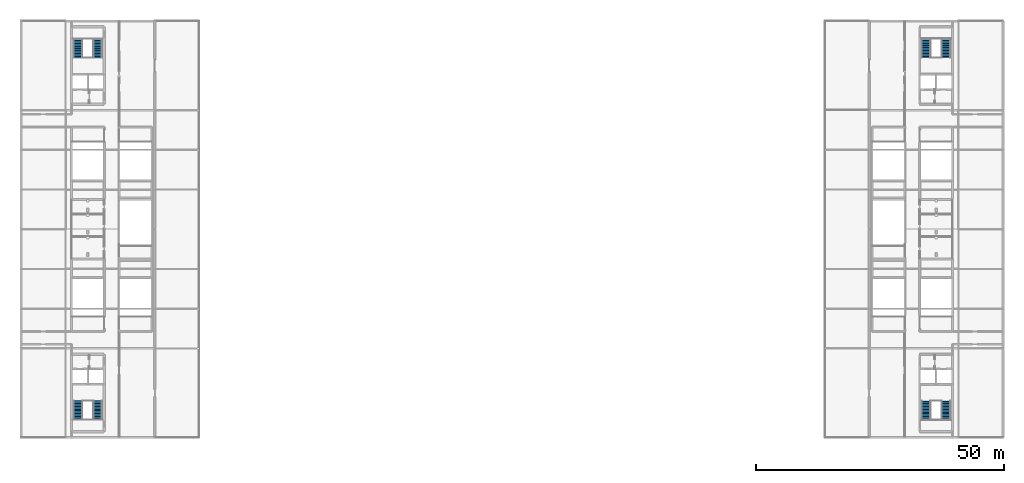
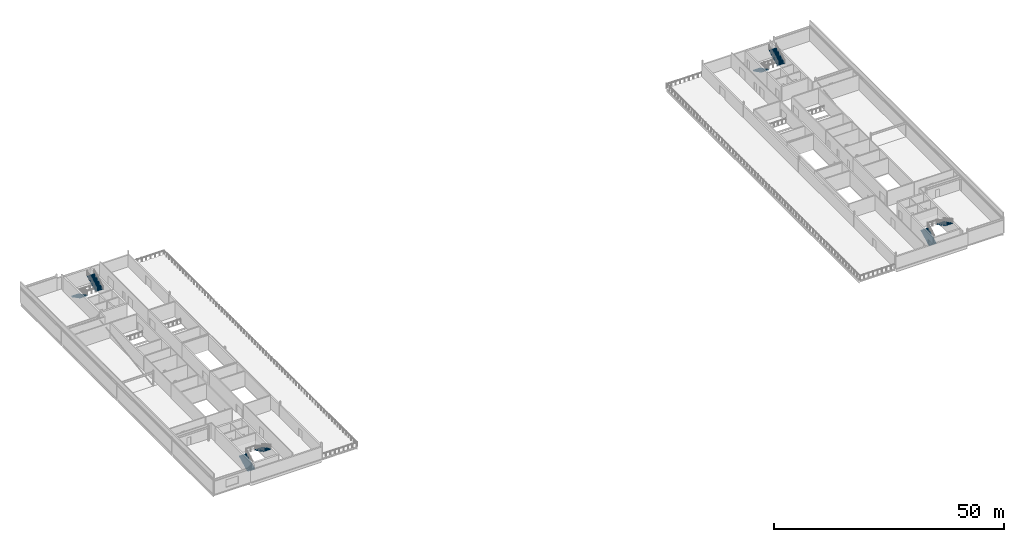
# One storey, part 20 of 23: 8 stair flights, 4 elements without a shape of their own.
"""IFC4 building model written with IfcOpenShell, lengths in metres."""

from ifc_helpers import new_model, si_unit, direction, frame, origin, place, context, subcontext, project, spatial, polyline, outline, extrude, material, type_object, element, aggregate, save


model = new_model("IFC4")

# Units and contexts
model_context = context("Model", 3, precision=1e-05, world=origin(), true_north=direction((0.0, 1.0)))
body_context = subcontext(model_context, "Body", "Model", "MODEL_VIEW")
ifc_project = project(units=[si_unit("LENGTHUNIT", "METRE"), si_unit("AREAUNIT", "SQUARE_METRE"), si_unit("VOLUMEUNIT", "CUBIC_METRE"), si_unit("PLANEANGLEUNIT", "RADIAN"), si_unit("MASSUNIT", "GRAM", prefix="KILO")], contexts=[model_context])

# Site, building, storey
site_placement = place(None, origin())
site = spatial("IfcSite", under=ifc_project, at=site_placement, CompositionType="ELEMENT")
building_placement = place(site_placement, origin())
building = spatial("IfcBuilding", under=site, at=building_placement, Name="Kisiwana Market Hall", CompositionType="ELEMENT")
storey_placement = place(building_placement, frame((0.0, 0.0, 65.699951171875)))
storey = spatial("IfcBuildingStorey", under=building, at=storey_placement, Name="L15", CompositionType="ELEMENT", Elevation=65.699951171875)

# Stair, stair flights
ifc_material_1 = material(Name="Concrete C32/40", Category="concrete")
stair_type = type_object("IfcStairType", Name="ST-TWR-4200", PredefinedType="TWO_STRAIGHT_RUN_STAIR", material=ifc_material_1)
stair_1_placement = place(storey_placement, origin())
stair_1 = element("IfcStair", 1, at=stair_1_placement, inside=storey, type_object=stair_type, Name="Escape stair ST-W2-L15", PredefinedType="TWO_STRAIGHT_RUN_STAIR")
ifc_material_2 = material(Name="Concrete C32/40", Category="concrete")
stair_flight_type = type_object("IfcStairFlightType", Name="SF-TWR-4200", PredefinedType="STRAIGHT", material=ifc_material_2)
stair_flight_1_placement = place(storey_placement, frame((11.5, 21.674560546875, 0.0), z_axis=(0.0, 0.0, 1.0), x_axis=(0.0, 1.0, 0.0)))
stair_flight_1 = element("IfcStairFlight", 2, at=stair_flight_1_placement, type_object=stair_flight_type, Name="ST-W2-L15 flight 1", NumberOfRisers=14, NumberOfTreads=13, PredefinedType="STRAIGHT", RiserHeight=0.15, TreadLength=0.29, context=body_context, shape_type="SweptSolid", body=[
    extrude(outline(polyline([(0.0, 0.0), (0.0, 0.14990234375), (0.2900390625, 0.14990234375), (0.2900390625, 0.300048828125), (0.580078125, 0.300048828125), (0.580078125, 0.449951171875), (0.8701171875, 0.449951171875), (0.8701171875, 0.60009765625), (1.159912109375, 0.60009765625), (1.159912109375, 0.75), (1.449951171875, 0.75), (1.449951171875, 0.89990234375), (1.739990234375, 0.89990234375), (1.739990234375, 1.050048828125), (2.030029296875, 1.050048828125), (2.030029296875, 1.199951171875), (2.320068359375, 1.199951171875), (2.320068359375, 1.35009765625), (2.610107421875, 1.35009765625), (2.610107421875, 1.5), (2.89990234375, 1.5), (2.89990234375, 1.64990234375), (3.18994140625, 1.64990234375), (3.18994140625, 1.800048828125), (3.47998046875, 1.800048828125), (3.47998046875, 1.949951171875), (3.77001953125, 1.949951171875), (3.77001953125, 2.10009765625), (3.77001953125, 1.747314453125), (0.3916015625, 0.0), (0.0, 0.0)])), frame((0.0, 0.925048828125, 0.0), z_axis=(0.0, -1.0, 0.0), x_axis=(1.0, 0.0, 0.0)), (0.0, 0.0, 1.0), 1.85009765625),
])
stair_flight_2_placement = place(storey_placement, frame((15.5, 25.444580078125, 2.10009765625), z_axis=(0.0, 0.0, 1.0), x_axis=(0.0, -1.0, 0.0)))
stair_flight_2 = element("IfcStairFlight", 3, at=stair_flight_2_placement, type_object=stair_flight_type, Name="ST-W2-L15 flight 2", NumberOfRisers=14, NumberOfTreads=13, PredefinedType="STRAIGHT", RiserHeight=0.15, TreadLength=0.29, context=body_context, shape_type="SweptSolid", body=[
    extrude(outline(polyline([(0.0, 0.0), (0.0, 0.14990234375), (0.2900390625, 0.14990234375), (0.2900390625, 0.300048828125), (0.580078125, 0.300048828125), (0.580078125, 0.449951171875), (0.8701171875, 0.449951171875), (0.8701171875, 0.60009765625), (1.159912109375, 0.60009765625), (1.159912109375, 0.75), (1.449951171875, 0.75), (1.449951171875, 0.89990234375), (1.739990234375, 0.89990234375), (1.739990234375, 1.050048828125), (2.030029296875, 1.050048828125), (2.030029296875, 1.199951171875), (2.320068359375, 1.199951171875), (2.320068359375, 1.35009765625), (2.610107421875, 1.35009765625), (2.610107421875, 1.5), (2.89990234375, 1.5), (2.89990234375, 1.64990234375), (3.18994140625, 1.64990234375), (3.18994140625, 1.800048828125), (3.47998046875, 1.800048828125), (3.47998046875, 1.949951171875), (3.77001953125, 1.949951171875), (3.77001953125, 2.10009765625), (3.77001953125, 1.747314453125), (0.3916015625, 0.0), (0.0, 0.0)])), frame((0.0, 0.925048828125, 0.0), z_axis=(0.0, -1.0, 0.0), x_axis=(1.0, 0.0, 0.0)), (0.0, 0.0, 1.0), 1.85009765625),
])
aggregate(stair_1, [stair_flight_1, stair_flight_2])

stair_2_placement = place(storey_placement, origin())
stair_2 = element("IfcStair", 4, at=stair_2_placement, inside=storey, type_object=stair_type, Name="Escape stair ST-W1-L15", PredefinedType="TWO_STRAIGHT_RUN_STAIR")
stair_flight_3_placement = place(storey_placement, frame((11.5, 98.325439453125, 0.0), z_axis=(0.0, 0.0, 1.0), x_axis=(0.0, -1.0, 0.0)))
stair_flight_3 = element("IfcStairFlight", 5, at=stair_flight_3_placement, type_object=stair_flight_type, Name="ST-W1-L15 flight 1", NumberOfRisers=14, NumberOfTreads=13, PredefinedType="STRAIGHT", RiserHeight=0.15, TreadLength=0.29, context=body_context, shape_type="SweptSolid", body=[
    extrude(outline(polyline([(0.0, 0.0), (0.0, 0.14990234375), (0.2900390625, 0.14990234375), (0.2900390625, 0.300048828125), (0.580078125, 0.300048828125), (0.580078125, 0.449951171875), (0.8701171875, 0.449951171875), (0.8701171875, 0.60009765625), (1.159912109375, 0.60009765625), (1.159912109375, 0.75), (1.449951171875, 0.75), (1.449951171875, 0.89990234375), (1.739990234375, 0.89990234375), (1.739990234375, 1.050048828125), (2.030029296875, 1.050048828125), (2.030029296875, 1.199951171875), (2.320068359375, 1.199951171875), (2.320068359375, 1.35009765625), (2.610107421875, 1.35009765625), (2.610107421875, 1.5), (2.89990234375, 1.5), (2.89990234375, 1.64990234375), (3.18994140625, 1.64990234375), (3.18994140625, 1.800048828125), (3.47998046875, 1.800048828125), (3.47998046875, 1.949951171875), (3.77001953125, 1.949951171875), (3.77001953125, 2.10009765625), (3.77001953125, 1.747314453125), (0.3916015625, 0.0), (0.0, 0.0)])), frame((0.0, 0.925048828125, 0.0), z_axis=(0.0, -1.0, 0.0), x_axis=(1.0, 0.0, 0.0)), (0.0, 0.0, 1.0), 1.85009765625),
])
stair_flight_4_placement = place(storey_placement, frame((15.5, 94.555419921875, 2.10009765625), z_axis=(0.0, 0.0, 1.0), x_axis=(0.0, 1.0, 0.0)))
stair_flight_4 = element("IfcStairFlight", 6, at=stair_flight_4_placement, type_object=stair_flight_type, Name="ST-W1-L15 flight 2", NumberOfRisers=14, NumberOfTreads=13, PredefinedType="STRAIGHT", RiserHeight=0.15, TreadLength=0.29, context=body_context, shape_type="SweptSolid", body=[
    extrude(outline(polyline([(0.0, 0.0), (0.0, 0.14990234375), (0.2900390625, 0.14990234375), (0.2900390625, 0.300048828125), (0.580078125, 0.300048828125), (0.580078125, 0.449951171875), (0.8701171875, 0.449951171875), (0.8701171875, 0.60009765625), (1.159912109375, 0.60009765625), (1.159912109375, 0.75), (1.449951171875, 0.75), (1.449951171875, 0.89990234375), (1.739990234375, 0.89990234375), (1.739990234375, 1.050048828125), (2.030029296875, 1.050048828125), (2.030029296875, 1.199951171875), (2.320068359375, 1.199951171875), (2.320068359375, 1.35009765625), (2.610107421875, 1.35009765625), (2.610107421875, 1.5), (2.89990234375, 1.5), (2.89990234375, 1.64990234375), (3.18994140625, 1.64990234375), (3.18994140625, 1.800048828125), (3.47998046875, 1.800048828125), (3.47998046875, 1.949951171875), (3.77001953125, 1.949951171875), (3.77001953125, 2.10009765625), (3.77001953125, 1.747314453125), (0.3916015625, 0.0), (0.0, 0.0)])), frame((0.0, 0.925048828125, 0.0), z_axis=(0.0, -1.0, 0.0), x_axis=(1.0, 0.0, 0.0)), (0.0, 0.0, 1.0), 1.85009765625),
])
aggregate(stair_2, [stair_flight_3, stair_flight_4])

stair_3_placement = place(storey_placement, origin())
stair_3 = element("IfcStair", 7, at=stair_3_placement, inside=storey, type_object=stair_type, Name="Escape stair ST-E2-L15", PredefinedType="TWO_STRAIGHT_RUN_STAIR")
stair_flight_5_placement = place(storey_placement, frame((182.47509765625, 21.6494140625, 0.0), z_axis=(0.0, 0.0, 1.0), x_axis=(0.0, 1.0, 0.0)))
stair_flight_5 = element("IfcStairFlight", 8, at=stair_flight_5_placement, type_object=stair_flight_type, Name="ST-E2-L15 flight 1", NumberOfRisers=14, NumberOfTreads=13, PredefinedType="STRAIGHT", RiserHeight=0.15, TreadLength=0.29, context=body_context, shape_type="SweptSolid", body=[
    extrude(outline(polyline([(0.0, 0.0), (0.0, 0.14990234375), (0.2900390625, 0.14990234375), (0.2900390625, 0.300048828125), (0.580078125, 0.300048828125), (0.580078125, 0.449951171875), (0.8701171875, 0.449951171875), (0.8701171875, 0.60009765625), (1.159912109375, 0.60009765625), (1.159912109375, 0.75), (1.449951171875, 0.75), (1.449951171875, 0.89990234375), (1.739990234375, 0.89990234375), (1.739990234375, 1.050048828125), (2.030029296875, 1.050048828125), (2.030029296875, 1.199951171875), (2.320068359375, 1.199951171875), (2.320068359375, 1.35009765625), (2.610107421875, 1.35009765625), (2.610107421875, 1.5), (2.89990234375, 1.5), (2.89990234375, 1.64990234375), (3.18994140625, 1.64990234375), (3.18994140625, 1.800048828125), (3.47998046875, 1.800048828125), (3.47998046875, 1.949951171875), (3.77001953125, 1.949951171875), (3.77001953125, 2.10009765625), (3.77001953125, 1.747314453125), (0.3916015625, 0.0), (0.0, 0.0)])), frame((0.0, 0.925048828125, 0.0), z_axis=(0.0, -1.0, 0.0), x_axis=(1.0, 0.0, 0.0)), (0.0, 0.0, 1.0), 1.85009765625),
])
stair_flight_6_placement = place(storey_placement, frame((186.52490234375, 25.41943359375, 2.10009765625), z_axis=(0.0, 0.0, 1.0), x_axis=(0.0, -1.0, 0.0)))
stair_flight_6 = element("IfcStairFlight", 9, at=stair_flight_6_placement, type_object=stair_flight_type, Name="ST-E2-L15 flight 2", NumberOfRisers=14, NumberOfTreads=13, PredefinedType="STRAIGHT", RiserHeight=0.15, TreadLength=0.29, context=body_context, shape_type="SweptSolid", body=[
    extrude(outline(polyline([(0.0, 0.0), (0.0, 0.14990234375), (0.2900390625, 0.14990234375), (0.2900390625, 0.300048828125), (0.580078125, 0.300048828125), (0.580078125, 0.449951171875), (0.8701171875, 0.449951171875), (0.8701171875, 0.60009765625), (1.159912109375, 0.60009765625), (1.159912109375, 0.75), (1.449951171875, 0.75), (1.449951171875, 0.89990234375), (1.739990234375, 0.89990234375), (1.739990234375, 1.050048828125), (2.030029296875, 1.050048828125), (2.030029296875, 1.199951171875), (2.320068359375, 1.199951171875), (2.320068359375, 1.35009765625), (2.610107421875, 1.35009765625), (2.610107421875, 1.5), (2.89990234375, 1.5), (2.89990234375, 1.64990234375), (3.18994140625, 1.64990234375), (3.18994140625, 1.800048828125), (3.47998046875, 1.800048828125), (3.47998046875, 1.949951171875), (3.77001953125, 1.949951171875), (3.77001953125, 2.10009765625), (3.77001953125, 1.747314453125), (0.3916015625, 0.0), (0.0, 0.0)])), frame((0.0, 0.925048828125, 0.0), z_axis=(0.0, -1.0, 0.0), x_axis=(1.0, 0.0, 0.0)), (0.0, 0.0, 1.0), 1.85009765625),
])
aggregate(stair_3, [stair_flight_5, stair_flight_6])

stair_4_placement = place(storey_placement, origin())
stair_4 = element("IfcStair", 10, at=stair_4_placement, inside=storey, type_object=stair_type, Name="Escape stair ST-E1-L15", PredefinedType="TWO_STRAIGHT_RUN_STAIR")
stair_flight_7_placement = place(storey_placement, frame((182.47509765625, 98.3505859375, 0.0), z_axis=(0.0, 0.0, 1.0), x_axis=(0.0, -1.0, 0.0)))
stair_flight_7 = element("IfcStairFlight", 11, at=stair_flight_7_placement, type_object=stair_flight_type, Name="ST-E1-L15 flight 1", NumberOfRisers=14, NumberOfTreads=13, PredefinedType="STRAIGHT", RiserHeight=0.15, TreadLength=0.29, context=body_context, shape_type="SweptSolid", body=[
    extrude(outline(polyline([(0.0, 0.0), (0.0, 0.14990234375), (0.2900390625, 0.14990234375), (0.2900390625, 0.300048828125), (0.580078125, 0.300048828125), (0.580078125, 0.449951171875), (0.8701171875, 0.449951171875), (0.8701171875, 0.60009765625), (1.159912109375, 0.60009765625), (1.159912109375, 0.75), (1.449951171875, 0.75), (1.449951171875, 0.89990234375), (1.739990234375, 0.89990234375), (1.739990234375, 1.050048828125), (2.030029296875, 1.050048828125), (2.030029296875, 1.199951171875), (2.320068359375, 1.199951171875), (2.320068359375, 1.35009765625), (2.610107421875, 1.35009765625), (2.610107421875, 1.5), (2.89990234375, 1.5), (2.89990234375, 1.64990234375), (3.18994140625, 1.64990234375), (3.18994140625, 1.800048828125), (3.47998046875, 1.800048828125), (3.47998046875, 1.949951171875), (3.77001953125, 1.949951171875), (3.77001953125, 2.10009765625), (3.77001953125, 1.747314453125), (0.3916015625, 0.0), (0.0, 0.0)])), frame((0.0, 0.925048828125, 0.0), z_axis=(0.0, -1.0, 0.0), x_axis=(1.0, 0.0, 0.0)), (0.0, 0.0, 1.0), 1.85009765625),
])
stair_flight_8_placement = place(storey_placement, frame((186.52490234375, 94.58056640625, 2.10009765625), z_axis=(0.0, 0.0, 1.0), x_axis=(0.0, 1.0, 0.0)))
stair_flight_8 = element("IfcStairFlight", 12, at=stair_flight_8_placement, type_object=stair_flight_type, Name="ST-E1-L15 flight 2", NumberOfRisers=14, NumberOfTreads=13, PredefinedType="STRAIGHT", RiserHeight=0.15, TreadLength=0.29, context=body_context, shape_type="SweptSolid", body=[
    extrude(outline(polyline([(0.0, 0.0), (0.0, 0.14990234375), (0.2900390625, 0.14990234375), (0.2900390625, 0.300048828125), (0.580078125, 0.300048828125), (0.580078125, 0.449951171875), (0.8701171875, 0.449951171875), (0.8701171875, 0.60009765625), (1.159912109375, 0.60009765625), (1.159912109375, 0.75), (1.449951171875, 0.75), (1.449951171875, 0.89990234375), (1.739990234375, 0.89990234375), (1.739990234375, 1.050048828125), (2.030029296875, 1.050048828125), (2.030029296875, 1.199951171875), (2.320068359375, 1.199951171875), (2.320068359375, 1.35009765625), (2.610107421875, 1.35009765625), (2.610107421875, 1.5), (2.89990234375, 1.5), (2.89990234375, 1.64990234375), (3.18994140625, 1.64990234375), (3.18994140625, 1.800048828125), (3.47998046875, 1.800048828125), (3.47998046875, 1.949951171875), (3.77001953125, 1.949951171875), (3.77001953125, 2.10009765625), (3.77001953125, 1.747314453125), (0.3916015625, 0.0), (0.0, 0.0)])), frame((0.0, 0.925048828125, 0.0), z_axis=(0.0, -1.0, 0.0), x_axis=(1.0, 0.0, 0.0)), (0.0, 0.0, 1.0), 1.85009765625),
])
aggregate(stair_4, [stair_flight_7, stair_flight_8])

save(model, "model.ifc")
